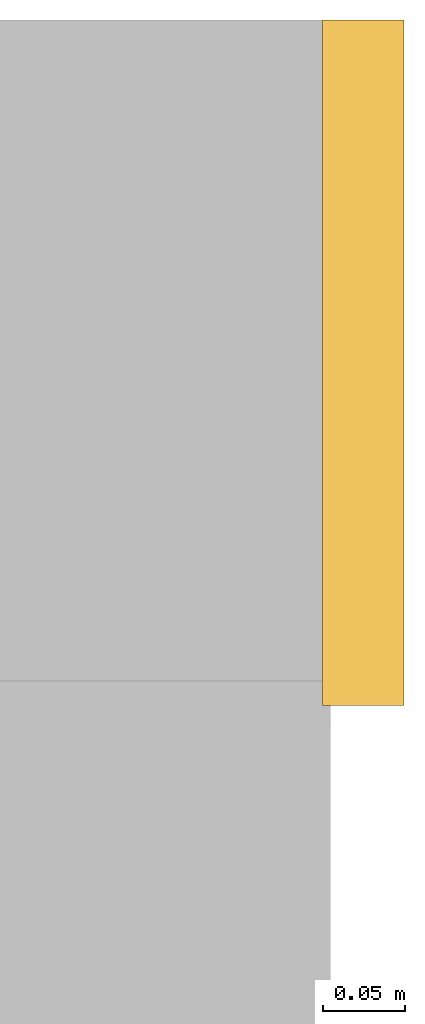
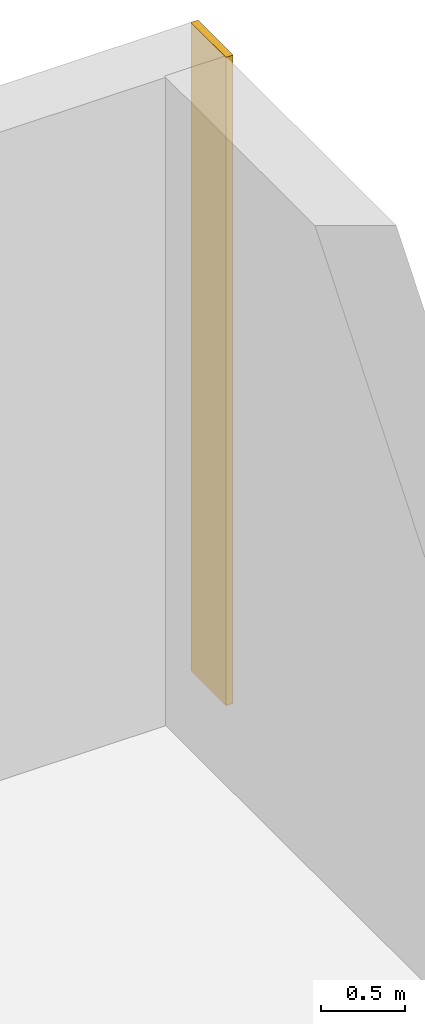
# One storey, part 20 of 20: 1 covering.
"""IFC4 building model written with IfcOpenShell, lengths in metres."""

from ifc_helpers import new_model, si_unit, direction, frame, frame_2d, origin, place, context, subcontext, project, spatial, rectangle, extrude, material, layer, layer_set, type_object, element, save


model = new_model("IFC4")

# Units and contexts
model_context = context("Model", 3, precision=1e-05, world=origin(), true_north=direction((0.0, 1.0)))
body_context = subcontext(model_context, "Body", "Model", "MODEL_VIEW")
ifc_project = project(units=[si_unit("LENGTHUNIT", "METRE"), si_unit("AREAUNIT", "SQUARE_METRE"), si_unit("VOLUMEUNIT", "CUBIC_METRE"), si_unit("PLANEANGLEUNIT", "RADIAN"), si_unit("MASSUNIT", "GRAM", prefix="KILO")], contexts=[model_context])

# Site, building, storey
site_placement = place(None, origin())
site = spatial("IfcSite", under=ifc_project, at=site_placement, CompositionType="ELEMENT")
building_placement = place(site_placement, origin())
building = spatial("IfcBuilding", under=site, at=building_placement, Name="Cairnveth Concourse Tower", CompositionType="ELEMENT")
storey_placement = place(building_placement, frame((0.0, 0.0, 5.0)))
storey = spatial("IfcBuildingStorey", under=building, at=storey_placement, Name="L01", CompositionType="ELEMENT", Elevation=5.0)

# Covering
ifc_material = material(Name="Dressed Melbourne Bluestone Cladding", Category="masonry")
ifc_layer = layer(ifc_material, 0.050048828125)
ifc_layer_set = layer_set([ifc_layer], Name="Dressed Melbourne Bluestone Cladding")
covering_type = type_object("IfcCoveringType", Name="DRESSED BLUESTONE PLINTH CLADDING 50", PredefinedType="CLADDING", material=ifc_layer_set)
covering_placement = place(storey_placement, frame((86.02001953125, 65.580078125, 0.0), z_axis=(0.0, 0.0, 1.0), x_axis=(0.0, 1.0, 0.0)))
element("IfcCovering", 1, at=covering_placement, inside=storey, type_object=covering_type, Name="Melbourne Bluestone Corner Quoin L01-8", PredefinedType="CLADDING", context=body_context, shape_type="SweptSolid", body=[
    extrude(rectangle(XDim=0.419921875, YDim=0.050048828125, at=frame_2d((0.2099609375, 0.0))), origin(), (0.0, 0.0, 1.0), 4.719970703125),
])

save(model, "model.ifc")
